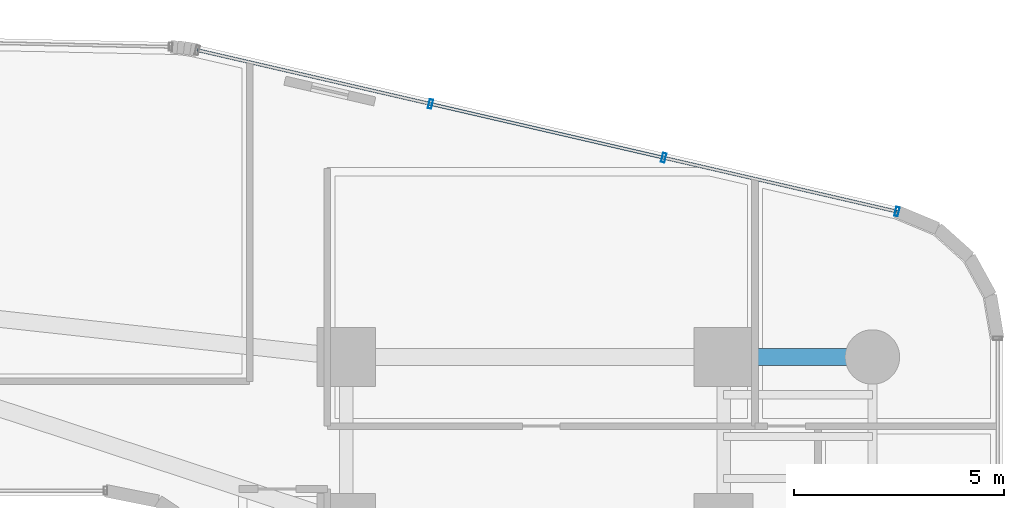
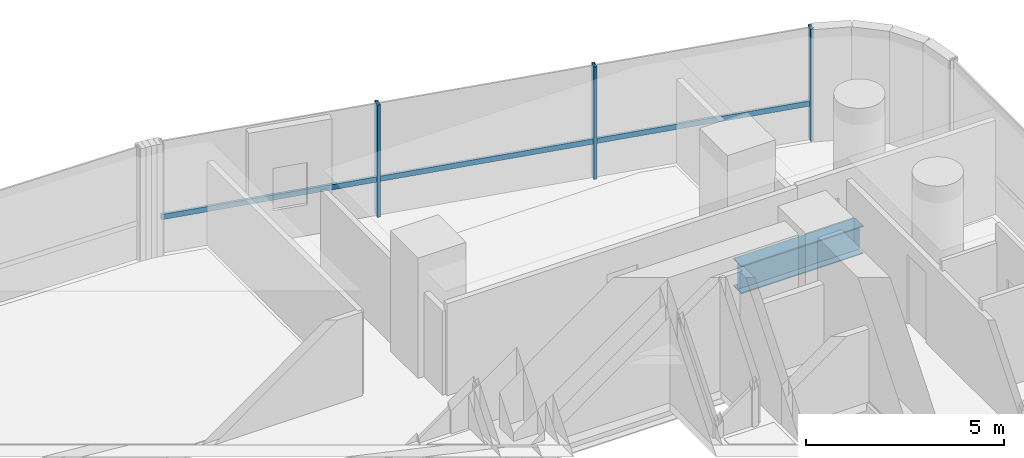
# One storey, part 23 of 39: 4 members, 1 beam, 1 element without a shape of its own.
"""IFC4 building model written with IfcOpenShell, lengths in metres."""

from ifc_helpers import new_model, si_unit, direction, frame, origin, origin_2d, place, context, subcontext, project, spatial, hollow_rectangle, i_section, extrude, source, transform, mapped, material, material_profile, profile_set, type_object, element, aggregate, save


model = new_model("IFC4")

# Units and contexts
model_context = context("Model", 3, precision=1e-05, world=origin(), true_north=direction((0.0, 1.0)))
body_context = subcontext(model_context, "Body", "Model", "MODEL_VIEW")
ifc_project = project(units=[si_unit("LENGTHUNIT", "METRE"), si_unit("AREAUNIT", "SQUARE_METRE"), si_unit("VOLUMEUNIT", "CUBIC_METRE"), si_unit("PLANEANGLEUNIT", "RADIAN"), si_unit("MASSUNIT", "GRAM", prefix="KILO")], contexts=[model_context])

# Site, building, storey
site_placement = place(None, origin())
site = spatial("IfcSite", under=ifc_project, at=site_placement, CompositionType="ELEMENT")
building_placement = place(site_placement, origin())
building = spatial("IfcBuilding", under=site, at=building_placement, Name="Valdorenza Pilgrim Sanctuary Tower", CompositionType="ELEMENT")
storey_placement = place(building_placement, frame((0.0, 0.0, 70.39990234375)))
storey = spatial("IfcBuildingStorey", under=building, at=storey_placement, Name="L17", CompositionType="ELEMENT", Elevation=70.39990234375)

# Beam
ifc_material_1 = material(Name="Steel ASTM A992 Grade 50", Category="steel")
ifc_material_profile_1 = material_profile(ifc_material_1, i_section(OverallWidth=0.39990234375, OverallDepth=0.862060546875, WebThickness=0.019775390625, FlangeThickness=0.032470703125, at=origin_2d()), Name="W33X221")
ifc_profile_set_1 = profile_set([ifc_material_profile_1], Name="Steel ASTM A992 Grade 50")
beam_type = type_object("IfcBeamType", Name="STR-BM-GRD-W33", PredefinedType="BEAM", material=ifc_profile_set_1)
shared_shape_1 = source(origin(), body_context, "Body", "SweptSolid", [
    extrude(i_section(OverallWidth=0.39990234375, OverallDepth=0.862060546875, WebThickness=0.019775390625, FlangeThickness=0.032470703125, at=origin_2d()), origin(), (0.0, 0.0, 1.0), 3.5498046875),
])
beam_placement = place(storey_placement, frame((24.85009765625, 13.5, -0.6708984375), z_axis=(1.0, 0.0, 0.0), x_axis=(0.0, 1.0, 0.0)))
element("IfcBeam", 1, at=beam_placement, inside=storey, type_object=beam_type, Name="L17 Floor Girder WB-XE-N2", PredefinedType="BEAM", context=body_context, shape_type="MappedRepresentation", body=[
    mapped(shared_shape_1, transform((0.0, 0.0, 0.0), x_axis=(1.0, 0.0, 0.0), y_axis=(0.0, 1.0, 0.0), z_axis=(0.0, 0.0, 1.0), scale=1.0)),
])

# Curtain wall, members
ifc_material_2 = material(Name="Curtain-wall IGU glazing", Category="glass")
curtain_wall_type = type_object("IfcCurtainWallType", Name="CW-SYS-03", PredefinedType="NOTDEFINED", material=ifc_material_2)
curtain_wall_placement = place(storey_placement, origin())
curtain_wall = element("IfcCurtainWall", 2, at=curtain_wall_placement, inside=storey, type_object=curtain_wall_type, Name="L17 Curtain Wall CW-L17-1-16", PredefinedType="NOTDEFINED")
ifc_material_3 = material(Name="Anodised aluminium AW-6060", Category="aluminium")
ifc_material_profile_2 = material_profile(ifc_material_3, hollow_rectangle(XDim=0.074951171875, YDim=0.159912109375, WallThickness=0.00390625, at=origin_2d()), Name="ALU-T 160x75x4")
ifc_profile_set_2 = profile_set([ifc_material_profile_2], Name="Anodised aluminium AW-6060")
member_type_1 = type_object("IfcMemberType", Name="CW-TRN-03", PredefinedType="USERDEFINED", material=ifc_profile_set_2)
shared_shape_2 = source(origin(), body_context, "Body", "SweptSolid", [
    extrude(hollow_rectangle(XDim=0.074951171875, YDim=0.159912109375, WallThickness=0.00390625, at=origin_2d()), origin(), (0.0, 0.0, 1.0), 17.125244140625),
])
member_1_placement = place(storey_placement, frame((12.299072265625, 20.818115234375, 1.1201171875), z_axis=(0.974390715149, -0.224861589051, 0.0), x_axis=(0.224861589051, 0.974390715149, 0.0)))
member_1 = element("IfcMember", 3, at=member_1_placement, type_object=member_type_1, Name="CW-L17-1-16 Transom 1", ObjectType="TRANSOM", PredefinedType="USERDEFINED", context=body_context, shape_type="MappedRepresentation", body=[
    mapped(shared_shape_2, transform((0.0, 0.0, 0.0), x_axis=(1.0, 0.0, 0.0), y_axis=(0.0, 1.0, 0.0), z_axis=(0.0, 0.0, 1.0), scale=1.0)),
])
ifc_material_profile_3 = material_profile(ifc_material_3, hollow_rectangle(XDim=0.0849609375, YDim=0.219970703125, WallThickness=0.0048828125, at=origin_2d()), Name="ALU-M 220x85x5")
ifc_profile_set_3 = profile_set([ifc_material_profile_3], Name="Anodised aluminium AW-6060")
member_type_2 = type_object("IfcMemberType", Name="CW-MUL-03", PredefinedType="MULLION", material=ifc_profile_set_3)
shared_shape_3 = source(origin(), body_context, "Body", "SweptSolid", [
    extrude(hollow_rectangle(XDim=0.0849609375, YDim=0.219970703125, WallThickness=0.0048828125, at=origin_2d()), origin(), (0.0, 0.0, 1.0), 3.460205078125),
])
member_2_placement = place(storey_placement, frame((17.861328125, 19.534423828125, 0.0), z_axis=(0.0, 0.0, 1.0), x_axis=(0.974389691758, -0.224866023659, 0.0)))
member_2 = element("IfcMember", 4, at=member_2_placement, type_object=member_type_2, Name="CW-L17-1-16 Mullion 2", PredefinedType="MULLION", context=body_context, shape_type="MappedRepresentation", body=[
    mapped(shared_shape_3, transform((0.0, 0.0, 0.0), x_axis=(1.0, 0.0, 0.0), y_axis=(0.0, 1.0, 0.0), z_axis=(0.0, 0.0, 1.0), scale=1.0)),
])
member_3_placement = place(storey_placement, frame((23.423583984375, 18.2509765625, 0.0), z_axis=(0.0, 0.0, 1.0), x_axis=(0.974389691758, -0.224866023659, 0.0)))
member_3 = element("IfcMember", 5, at=member_3_placement, type_object=member_type_2, Name="CW-L17-1-16 Mullion 3", PredefinedType="MULLION", context=body_context, shape_type="MappedRepresentation", body=[
    mapped(shared_shape_3, transform((0.0, 0.0, 0.0), x_axis=(1.0, 0.0, 0.0), y_axis=(0.0, 1.0, 0.0), z_axis=(0.0, 0.0, 1.0), scale=1.0)),
])
member_4_placement = place(storey_placement, frame((28.98583984375, 16.96728515625, 0.0), z_axis=(0.0, 0.0, 1.0), x_axis=(0.974389691758, -0.224866023659, 0.0)))
member_4 = element("IfcMember", 6, at=member_4_placement, type_object=member_type_2, Name="CW-L17-1-16 Mullion 4", PredefinedType="MULLION", context=body_context, shape_type="MappedRepresentation", body=[
    mapped(shared_shape_3, transform((0.0, 0.0, 0.0), x_axis=(1.0, 0.0, 0.0), y_axis=(0.0, 1.0, 0.0), z_axis=(0.0, 0.0, 1.0), scale=1.0)),
])
aggregate(curtain_wall, [member_2, member_3, member_4, member_1])

save(model, "model.ifc")
